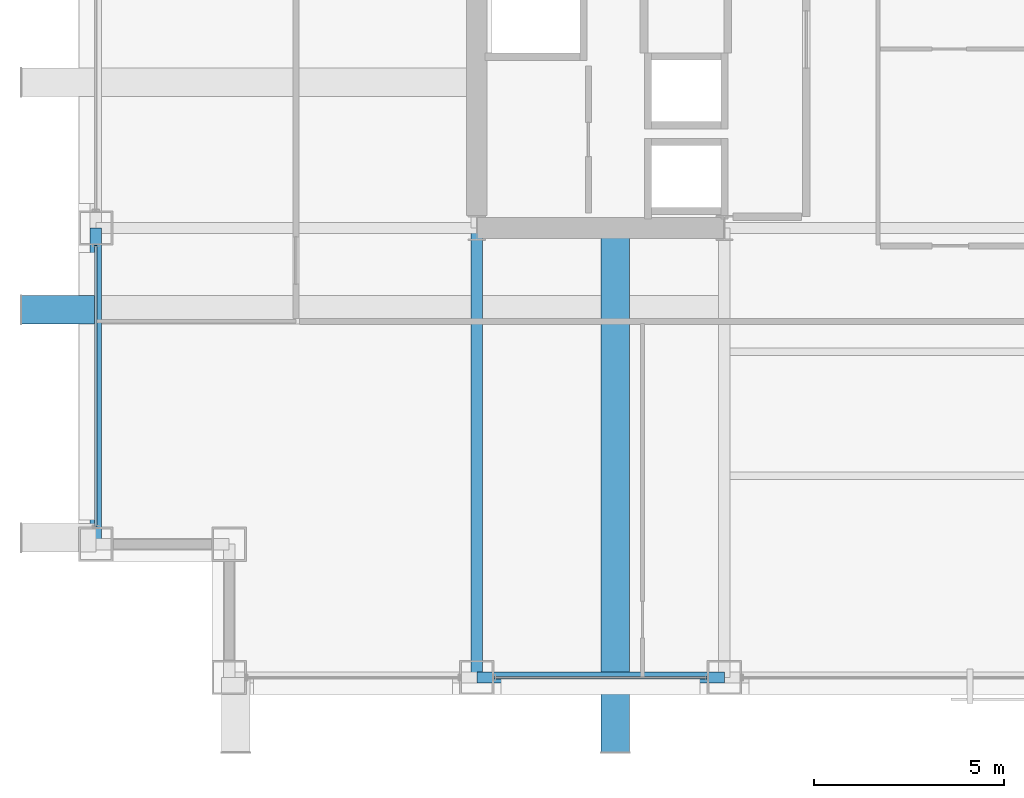
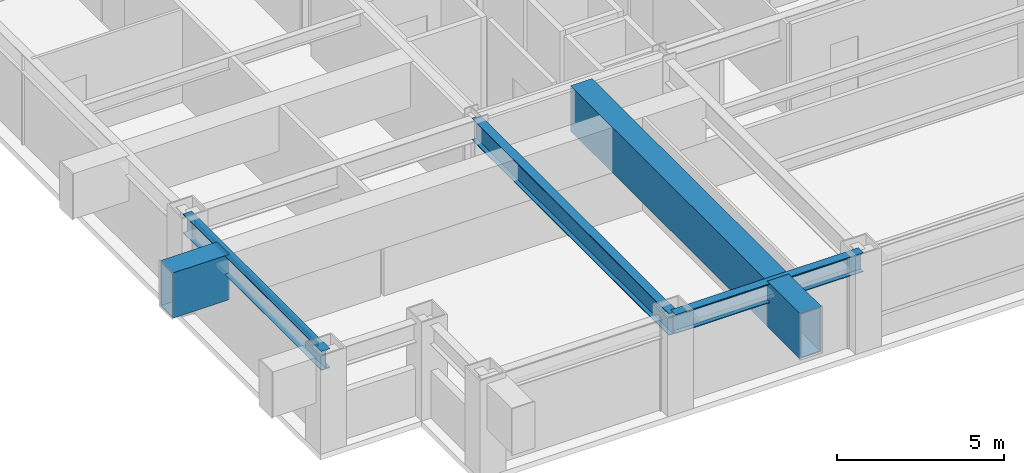
# One storey, part 3 of 29: 6 beams, 2 members, 2 elements without a shape of their own.
"""IFC4 building model written with IfcOpenShell, lengths in metres."""

from ifc_helpers import new_model, si_unit, direction, frame, origin, origin_2d, place, context, subcontext, project, spatial, hollow_rectangle, i_section, extrude, material, layer, layer_set, material_profile, profile_set, type_object, element, aggregate, save


model = new_model("IFC4")

# Units and contexts
model_context = context("Model", 3, precision=1e-05, world=origin(), true_north=direction((0.0, 1.0)))
body_context = subcontext(model_context, "Body", "Model", "MODEL_VIEW")
ifc_project = project(units=[si_unit("LENGTHUNIT", "METRE"), si_unit("AREAUNIT", "SQUARE_METRE"), si_unit("VOLUMEUNIT", "CUBIC_METRE"), si_unit("PLANEANGLEUNIT", "RADIAN"), si_unit("MASSUNIT", "GRAM", prefix="KILO")], contexts=[model_context])

# Site, building, storey
site_placement = place(None, origin())
site = spatial("IfcSite", under=ifc_project, at=site_placement, CompositionType="ELEMENT")
building_placement = place(site_placement, origin())
building = spatial("IfcBuilding", under=site, at=building_placement, Name="Brelmoor Portico Tower", CompositionType="ELEMENT")
storey_placement = place(building_placement, frame((0.0, 0.0, 52.800048828125)))
storey = spatial("IfcBuildingStorey", under=building, at=storey_placement, Name="L13", CompositionType="ELEMENT", Elevation=52.800048828125)

# Beams
ifc_material_1 = material(Name="Steel Q355B", Category="steel")
ifc_material_profile_1 = material_profile(ifc_material_1, hollow_rectangle(XDim=0.75, YDim=1.659912109375, WallThickness=0.0419921875, at=origin_2d()), Name="BOX 750x1660x42")
ifc_profile_set_1 = profile_set([ifc_material_profile_1], Name="Steel Q355B")
beam_type_1 = type_object("IfcBeamType", Name="BM-PF-CANT", PredefinedType="BEAM", material=ifc_profile_set_1)
for number, where, z_axis, x_axis, name in (
    (1, (-26.5, -11.89990234375, 2.570068359375), (1.0, 0.0, 0.0), (0.0, 1.0, 0.0), "L13 Picture-Frame Outrigger Transfer Cantilever PFB-03"),
    (2, (-10.919921875, -23.5, 2.570068359375), (0.0, 1.0, 0.0), (-1.0, 0.0, 0.0), "L13 Picture-Frame Outrigger Transfer Cantilever PFB-05"),
):
    element("IfcBeam", number, at=place(storey_placement, frame(where, z_axis=z_axis, x_axis=x_axis)), inside=storey, type_object=beam_type_1, Name=name, PredefinedType="BEAM", context=body_context, shape_type="SweptSolid", body=[
        extrude(hollow_rectangle(XDim=0.75, YDim=1.659912109375, WallThickness=0.0419921875, at=origin_2d()), origin(), (0.0, 0.0, 1.0), 1.949951171875),
    ])
ifc_material_profile_2 = material_profile(ifc_material_1, i_section(OverallWidth=0.300048828125, OverallDepth=0.800048828125, WebThickness=0.013916015625, FlangeThickness=0.02587890625, at=origin_2d()), Name="HN 800x300x14x26")
ifc_profile_set_2 = profile_set([ifc_material_profile_2], Name="Steel Q355B")
beam_type_2 = type_object("IfcBeamType", Name="BM-PG-800", PredefinedType="BEAM", material=ifc_profile_set_2)
beam_1_placement = place(storey_placement, frame((-14.550048828125, -21.550048828125, 3.0), z_axis=(0.0, 1.0, 0.0), x_axis=(-1.0, 0.0, 0.0)))
element("IfcBeam", 3, at=beam_1_placement, inside=storey, type_object=beam_type_2, Name="L13 Primary Floor Girder PG-03", PredefinedType="BEAM", context=body_context, shape_type="SweptSolid", body=[
    extrude(i_section(OverallWidth=0.300048828125, OverallDepth=0.800048828125, WebThickness=0.013916015625, FlangeThickness=0.02587890625, at=origin_2d()), origin(), (0.0, 0.0, 1.0), 11.800048828125),
])
ifc_material_profile_3 = material_profile(ifc_material_1, i_section(OverallWidth=0.300048828125, OverallDepth=0.699951171875, WebThickness=0.012939453125, FlangeThickness=0.02392578125, at=origin_2d()), Name="HN 700x300x13x24")
ifc_profile_set_3 = profile_set([ifc_material_profile_3], Name="Steel Q355B")
beam_type_3 = type_object("IfcBeamType", Name="BM-SP-700", PredefinedType="SPANDREL", material=ifc_profile_set_3)
beam_2_placement = place(storey_placement, frame((-14.550048828125, -21.550048828125, 3.050048828125), z_axis=(1.0, 0.0, 0.0), x_axis=(0.0, 1.0, 0.0)))
element("IfcBeam", 4, at=beam_2_placement, inside=storey, type_object=beam_type_3, Name="L13 Perimeter Spandrel Beam SP-02", PredefinedType="SPANDREL", context=body_context, shape_type="SweptSolid", body=[
    extrude(i_section(OverallWidth=0.300048828125, OverallDepth=0.699951171875, WebThickness=0.012939453125, FlangeThickness=0.02392578125, at=origin_2d()), origin(), (0.0, 0.0, 1.0), 6.5),
])
beam_3_placement = place(storey_placement, frame((-24.550048828125, -18.050048828125, 3.050048828125), z_axis=(0.0, 1.0, 0.0), x_axis=(-1.0, 0.0, 0.0)))
element("IfcBeam", 5, at=beam_3_placement, inside=storey, type_object=beam_type_3, Name="L13 Perimeter Spandrel Beam SP-15", PredefinedType="SPANDREL", context=body_context, shape_type="SweptSolid", body=[
    extrude(i_section(OverallWidth=0.300048828125, OverallDepth=0.699951171875, WebThickness=0.012939453125, FlangeThickness=0.02392578125, at=origin_2d()), origin(), (0.0, 0.0, 1.0), 8.300048828125),
])
ifc_material_profile_4 = material_profile(ifc_material_1, hollow_rectangle(XDim=0.75, YDim=1.659912109375, WallThickness=0.0419921875, at=origin_2d()), Name="BOX 750x1660x42")
ifc_profile_set_4 = profile_set([ifc_material_profile_4], Name="Steel Q355B")
beam_type_4 = type_object("IfcBeamType", Name="BM-TG-Z2", PredefinedType="BEAM", material=ifc_profile_set_4)
beam_4_placement = place(storey_placement, frame((-10.919921875, -21.550048828125, 2.570068359375), z_axis=(0.0, 1.0, 0.0), x_axis=(-1.0, 0.0, 0.0)))
element("IfcBeam", 6, at=beam_4_placement, inside=storey, type_object=beam_type_4, Name="L13 Picture-Frame Backspan Transfer Girder PFBS-05", PredefinedType="BEAM", context=body_context, shape_type="SweptSolid", body=[
    extrude(hollow_rectangle(XDim=0.75, YDim=1.659912109375, WallThickness=0.0419921875, at=origin_2d()), origin(), (0.0, 0.0, 1.0), 11.800048828125),
])

# Curtain wall, member
ifc_material_2 = material(Name="Anodised Aluminium Alloy 6063-T6", Category="aluminium")
ifc_layer = layer(ifc_material_2, 0.179931640625)
ifc_layer_set = layer_set([ifc_layer], Name="Anodised Aluminium Alloy 6063-T6")
curtain_wall_type = type_object("IfcCurtainWallType", Name="CW-TOWER-Z1-XB", PredefinedType="NOTDEFINED", material=ifc_layer_set)
curtain_wall_1_placement = place(storey_placement, origin())
curtain_wall_1 = element("IfcCurtainWall", 7, at=curtain_wall_1_placement, inside=storey, type_object=curtain_wall_type, Name="L13 Curtain Wall CW-L13-01-2", PredefinedType="NOTDEFINED")
ifc_material_profile_5 = material_profile(ifc_material_2, hollow_rectangle(XDim=0.06494140625, YDim=0.139892578125, WallThickness=0.00390625, at=origin_2d()), Name="ALU TRANSOM 65x140")
ifc_profile_set_5 = profile_set([ifc_material_profile_5], Name="Anodised Aluminium Alloy 6063-T6")
member_type = type_object("IfcMemberType", Name="MB-CW-TRAN-140", PredefinedType="USERDEFINED", material=ifc_profile_set_5)
member_1_placement = place(storey_placement, frame((-14.090087890625, -21.550048828125, 3.329833984375), z_axis=(1.0, 0.0, 0.0), x_axis=(0.0, 1.0, 0.0)))
member_1 = element("IfcMember", 8, at=member_1_placement, type_object=member_type, Name="CW-L13-01-2 Transom 1-00", ObjectType="TRANSOM", PredefinedType="USERDEFINED", context=body_context, shape_type="SweptSolid", body=[
    extrude(hollow_rectangle(XDim=0.06494140625, YDim=0.139892578125, WallThickness=0.00390625, at=origin_2d()), origin(), (0.0, 0.0, 1.0), 5.580078125),
])
aggregate(curtain_wall_1, [member_1])

curtain_wall_2_placement = place(storey_placement, origin())
curtain_wall_2 = element("IfcCurtainWall", 9, at=curtain_wall_2_placement, inside=storey, type_object=curtain_wall_type, Name="L13 Curtain Wall CW-L13-03-1", PredefinedType="NOTDEFINED")
member_2_placement = place(storey_placement, frame((-24.550048828125, -17.590087890625, 3.329833984375), z_axis=(0.0, 1.0, 0.0), x_axis=(-1.0, 0.0, 0.0)))
member_2 = element("IfcMember", 10, at=member_2_placement, type_object=member_type, Name="CW-L13-03-1 Transom 1-00", ObjectType="TRANSOM", PredefinedType="USERDEFINED", context=body_context, shape_type="SweptSolid", body=[
    extrude(hollow_rectangle(XDim=0.06494140625, YDim=0.139892578125, WallThickness=0.00390625, at=origin_2d()), origin(), (0.0, 0.0, 1.0), 7.380126953125),
])
aggregate(curtain_wall_2, [member_2])

save(model, "model.ifc")
